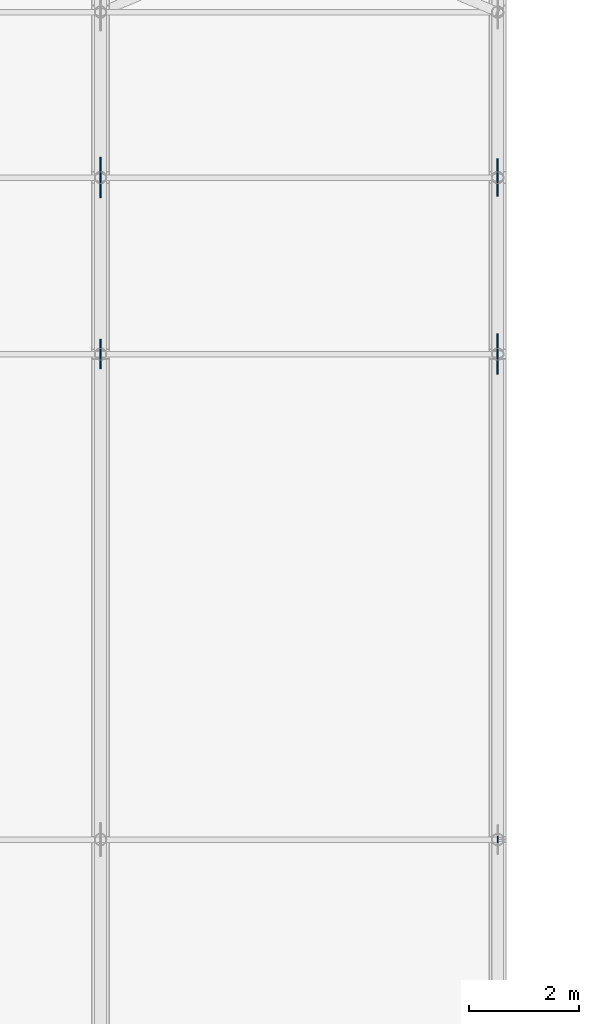
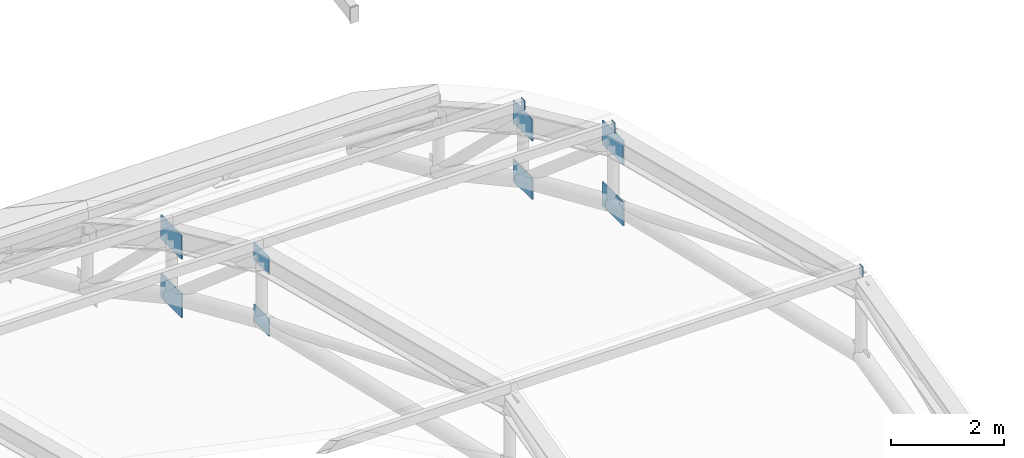
# One storey, part 49 of 63: 11 plates.
"""IFC4 building model written with IfcOpenShell, lengths in metres."""

from ifc_helpers import new_model, si_unit, direction, frame, origin, origin_2d, place, context, subcontext, project, spatial, rectangle, extrude, material, layer, layer_set, type_object, element, save


model = new_model("IFC4")

# Units and contexts
model_context = context("Model", 3, precision=1e-05, world=origin(), true_north=direction((0.0, 1.0)))
body_context = subcontext(model_context, "Body", "Model", "MODEL_VIEW")
ifc_project = project(units=[si_unit("LENGTHUNIT", "METRE"), si_unit("AREAUNIT", "SQUARE_METRE"), si_unit("VOLUMEUNIT", "CUBIC_METRE"), si_unit("PLANEANGLEUNIT", "RADIAN"), si_unit("MASSUNIT", "GRAM", prefix="KILO")], contexts=[model_context])

# Site, building, storey
site_placement = place(None, origin())
site = spatial("IfcSite", under=ifc_project, at=site_placement, CompositionType="ELEMENT")
building_placement = place(site_placement, origin())
building = spatial("IfcBuilding", under=site, at=building_placement, Name="Solvadek Multi-Sports Hall", CompositionType="ELEMENT")
storey_placement = place(building_placement, frame((0.0, 0.0, 19.199951171875)))
storey = spatial("IfcBuildingStorey", under=building, at=storey_placement, Name="RF", CompositionType="ELEMENT", Elevation=19.199951171875)

# Plates
ifc_material = material(Name="Steel E350 (350 MPa)", Category="steel")
ifc_layer_1 = layer(ifc_material, 0.01611328125, Name="Steel E350 (350 MPa)")
ifc_layer_set_1 = layer_set([ifc_layer_1], Name="Steel E350 (350 MPa)")
plate_type_1 = type_object("IfcPlateType", Name="STR-PLT-CAP16", PredefinedType="USERDEFINED", material=ifc_layer_set_1)
for number, where, z_axis, x_axis, name in (
    (1, (136.803955078125, 24.0, 4.076171875), (0.0, 0.0, 1.0), (1.0, 0.0, 0.0), "V1 Purlin End Cap Plate #22"),
    (2, (136.803955078125, 32.800048828125, 1.86083984375), (0.0, 0.0, 1.0), (1.0, 0.0, 0.0), "V1 Purlin End Cap Plate #23"),
    (3, (136.803955078125, 36.0, 0.40234375), (0.0, 0.0, 1.0), (1.0, 0.0, 0.0), "V1 Purlin End Cap Plate #24"),
):
    element("IfcPlate", number, at=place(storey_placement, frame(where, z_axis=z_axis, x_axis=x_axis)), inside=storey, type_object=plate_type_1, Name=name, ObjectType="BASE_PLATE", PredefinedType="USERDEFINED", context=body_context, shape_type="SweptSolid", body=[
        extrude(rectangle(XDim=0.01611328125, YDim=0.1201171875, at=origin_2d()), origin(), (0.0, 0.0, 1.0), 0.219970703125),
    ])
ifc_layer_2 = layer(ifc_material, 0.02197265625, Name="Steel E350 (350 MPa)")
ifc_layer_set_2 = layer_set([ifc_layer_2], Name="Steel E350 (350 MPa)")
plate_type_2 = type_object("IfcPlateType", Name="STR-PLT-GUS540", PredefinedType="USERDEFINED", material=ifc_layer_set_2)
for number, where, z_axis, x_axis, name in (
    (4, (129.60009765625, 32.800048828125, 1.42919921875), (0.0, 0.0, 1.0), (0.0, 1.0, 0.0), "V1 Truss Top Gusset Plate #119"),
    (5, (129.60009765625, 32.800048828125, 0.10009765625), (0.0, 0.0, 1.0), (0.0, 1.0, 0.0), "V1 Truss Bottom Gusset Plate #120"),
):
    element("IfcPlate", number, at=place(storey_placement, frame(where, z_axis=z_axis, x_axis=x_axis)), inside=storey, type_object=plate_type_2, Name=name, ObjectType="GUSSET_PLATE", PredefinedType="USERDEFINED", context=body_context, shape_type="SweptSolid", body=[
        extrude(rectangle(XDim=0.5400390625, YDim=0.02197265625, at=origin_2d()), origin(), (0.0, 0.0, 1.0), 0.3798828125),
    ])
ifc_layer_3 = layer(ifc_material, 0.02587890625, Name="Steel E350 (350 MPa)")
ifc_layer_set_3 = layer_set([ifc_layer_3], Name="Steel E350 (350 MPa)")
plate_type_3 = type_object("IfcPlateType", Name="STR-PLT-GUS680", PredefinedType="USERDEFINED", material=ifc_layer_set_3)
for number, where, z_axis, x_axis, name in (
    (6, (136.800048828125, 36.0, -0.08984375), (0.0, 0.0, 1.0), (0.0, 1.0, 0.0), "V1 Truss Top Gusset Plate #139"),
    (7, (136.800048828125, 36.0, -1.356689453125), (0.0, 0.0, 1.0), (0.0, 1.0, 0.0), "V1 Truss Bottom Gusset Plate #140"),
):
    element("IfcPlate", number, at=place(storey_placement, frame(where, z_axis=z_axis, x_axis=x_axis)), inside=storey, type_object=plate_type_3, Name=name, ObjectType="GUSSET_PLATE", PredefinedType="USERDEFINED", context=body_context, shape_type="SweptSolid", body=[
        extrude(rectangle(XDim=0.679931640625, YDim=0.02587890625, at=origin_2d()), origin(), (0.0, 0.0, 1.0), 0.47998046875),
    ])
ifc_layer_4 = layer(ifc_material, 0.028076171875, Name="Steel E350 (350 MPa)")
ifc_layer_set_4 = layer_set([ifc_layer_4], Name="Steel E350 (350 MPa)")
plate_type_4 = type_object("IfcPlateType", Name="STR-PLT-GUS740", PredefinedType="USERDEFINED", material=ifc_layer_set_4)
for number, where, z_axis, x_axis, name in (
    (8, (129.60009765625, 36.0, -0.10986328125), (0.0, 0.0, 1.0), (0.0, 1.0, 0.0), "V1 Truss Top Gusset Plate #121"),
    (9, (129.60009765625, 36.0, -1.376708984375), (0.0, 0.0, 1.0), (0.0, 1.0, 0.0), "V1 Truss Bottom Gusset Plate #122"),
    (10, (136.800048828125, 32.800048828125, 1.359130859375), (0.0, 0.0, 1.0), (0.0, 1.0, 0.0), "V1 Truss Top Gusset Plate #137"),
    (11, (136.800048828125, 32.800048828125, 0.030029296875), (0.0, 0.0, 1.0), (0.0, 1.0, 0.0), "V1 Truss Bottom Gusset Plate #138"),
):
    element("IfcPlate", number, at=place(storey_placement, frame(where, z_axis=z_axis, x_axis=x_axis)), inside=storey, type_object=plate_type_4, Name=name, ObjectType="GUSSET_PLATE", PredefinedType="USERDEFINED", context=body_context, shape_type="SweptSolid", body=[
        extrude(rectangle(XDim=0.739990234375, YDim=0.028076171875, at=origin_2d()), origin(), (0.0, 0.0, 1.0), 0.52001953125),
    ])

save(model, "model.ifc")
